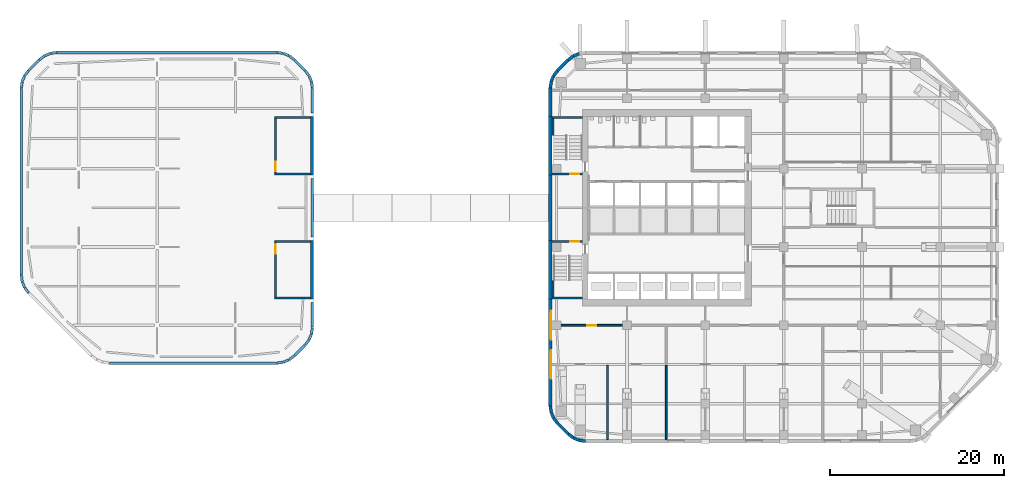
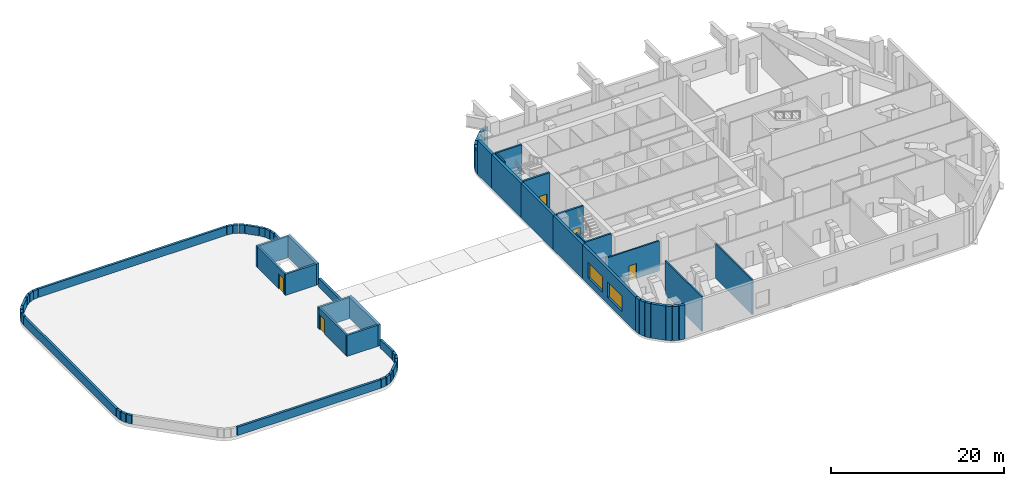
# One storey, part 4 of 11: 65 walls, 5 doors, 2 windows, 7 openings.
"""IFC4 building model written with IfcOpenShell, lengths in metres."""

from ifc_helpers import new_model, si_unit, direction, frame, frame_2d, origin, place, context, subcontext, project, spatial, rectangle, extrude, material, layer, layer_set, type_object, element, fill, save


model = new_model("IFC4")

# Units and contexts
model_context = context("Model", 3, precision=1e-05, world=origin(), true_north=direction((0.0, 1.0)))
body_context = subcontext(model_context, "Body", "Model", "MODEL_VIEW")
ifc_project = project(units=[si_unit("LENGTHUNIT", "METRE"), si_unit("AREAUNIT", "SQUARE_METRE"), si_unit("VOLUMEUNIT", "CUBIC_METRE"), si_unit("PLANEANGLEUNIT", "RADIAN"), si_unit("MASSUNIT", "GRAM", prefix="KILO")], contexts=[model_context])

# Site, building, storey
site_placement = place(None, origin())
site = spatial("IfcSite", under=ifc_project, at=site_placement, CompositionType="ELEMENT")
building_placement = place(site_placement, origin())
building = spatial("IfcBuilding", under=site, at=building_placement, Name="Cinnabar Reach Civic Tower", CompositionType="ELEMENT")
storey_placement = place(building_placement, frame((0.0, 0.0, 144.0)))
storey = spatial("IfcBuildingStorey", under=building, at=storey_placement, Name="L34", CompositionType="ELEMENT", Elevation=144.0)

# Walls
ifc_material_1 = material(Name="Facing brick with insulated backing", Category="masonry")
ifc_layer_1 = layer(ifc_material_1, 0.36)
ifc_layer_set_1 = layer_set([ifc_layer_1], Name="Brick corner wall")
wall_type_1 = type_object("IfcWallType", Name="Brick corner wall", PredefinedType="STANDARD", material=ifc_layer_set_1)
wall_1_placement = place(storey_placement, frame((3.5027, 49.2181, 0.0), z_axis=(0.0, 0.0, 1.0), x_axis=(-0.923871547278, -0.382702709855, 0.0)))
element("IfcWall", 1, at=wall_1_placement, inside=storey, type_object=wall_type_1, Name="Brick corner wall", PredefinedType="STANDARD", context=body_context, shape_type="SweptSolid", body=[
    extrude(rectangle(XDim=0.7131, YDim=0.36, at=frame_2d((0.3565, 0.0))), origin(), (0.0, 0.0, 1.0), 3.25),
])
for number, where, z_axis, x_axis, name in (
    (2, (2.8245, 48.934, 0.0), (0.0, 0.0, 1.0), (-0.793321924995, -0.608802368033, 0.0), "Brick corner wall"),
    (3, (1.0002, 47.2413, 0.0), (0.0, 0.0, 1.0), (-0.608802368033, -0.793321924995, 0.0), "Brick corner wall"),
):
    element("IfcWall", number, at=place(storey_placement, frame(where, z_axis=z_axis, x_axis=x_axis)), inside=storey, type_object=wall_type_1, Name=name, PredefinedType="STANDARD", context=body_context, shape_type="SweptSolid", body=[
        extrude(rectangle(XDim=0.7132, YDim=0.36, at=frame_2d((0.3566, 0.0))), origin(), (0.0, 0.0, 1.0), 3.25),
    ])
for number, where, z_axis, x_axis, name in (
    (4, (0.5548, 46.6561, 0.0), (0.0, 0.0, 1.0), (-0.382702709855, -0.923871547278, 0.0), "Brick corner wall"),
    (5, (0.2761, 45.9756, 0.0), (0.0, 0.0, 1.0), (-0.13055608231, -0.99144092581, 0.0), "Brick corner wall"),
):
    element("IfcWall", number, at=place(storey_placement, frame(where, z_axis=z_axis, x_axis=x_axis)), inside=storey, type_object=wall_type_1, Name=name, PredefinedType="STANDARD", context=body_context, shape_type="SweptSolid", body=[
        extrude(rectangle(XDim=0.7131, YDim=0.36, at=frame_2d((0.3565, 0.0))), origin(), (0.0, 0.0, 1.0), 3.25),
    ])
for number, where, z_axis, x_axis, name in (
    (6, (0.183, 8.7314, 0.0), (0.0, 0.0, 1.0), (0.13055608231, -0.99144092581, 0.0), "Brick corner wall"),
    (7, (0.2819, 8.0027, 0.0), (0.0, 0.0, 1.0), (0.382702709855, -0.923871547278, 0.0), "Brick corner wall"),
):
    element("IfcWall", number, at=place(storey_placement, frame(where, z_axis=z_axis, x_axis=x_axis)), inside=storey, type_object=wall_type_1, Name=name, PredefinedType="STANDARD", context=body_context, shape_type="SweptSolid", body=[
        extrude(rectangle(XDim=0.7131, YDim=0.36, at=frame_2d((0.3565, 0.0))), origin(), (0.0, 0.0, 1.0), 4.85),
    ])
for number, where, z_axis, x_axis, name in (
    (8, (0.566, 7.3245, 0.0), (0.0, 0.0, 1.0), (0.608802368033, -0.793321924995, 0.0), "Brick corner wall"),
    (9, (2.2587, 5.5002, 0.0), (0.0, 0.0, 1.0), (0.793321924995, -0.608802368033, 0.0), "Brick corner wall"),
):
    element("IfcWall", number, at=place(storey_placement, frame(where, z_axis=z_axis, x_axis=x_axis)), inside=storey, type_object=wall_type_1, Name=name, PredefinedType="STANDARD", context=body_context, shape_type="SweptSolid", body=[
        extrude(rectangle(XDim=0.7132, YDim=0.36, at=frame_2d((0.3566, 0.0))), origin(), (0.0, 0.0, 1.0), 4.85),
    ])
for number, where, z_axis, x_axis, name in (
    (10, (2.8439, 5.0548, 0.0), (0.0, 0.0, 1.0), (0.923871547278, -0.382702709855, 0.0), "Brick corner wall"),
    (11, (3.5244, 4.7761, 0.0), (0.0, 0.0, 1.0), (0.99144092581, -0.13055608231, 0.0), "Brick corner wall"),
):
    element("IfcWall", number, at=place(storey_placement, frame(where, z_axis=z_axis, x_axis=x_axis)), inside=storey, type_object=wall_type_1, Name=name, PredefinedType="STANDARD", context=body_context, shape_type="SweptSolid", body=[
        extrude(rectangle(XDim=0.7131, YDim=0.36, at=frame_2d((0.3565, 0.0))), origin(), (0.0, 0.0, 1.0), 4.85),
    ])
ifc_layer_2 = layer(ifc_material_1, 0.36)
ifc_layer_set_2 = layer_set([ifc_layer_2], Name="Brick pier and spandrel wall")
wall_type_2 = type_object("IfcWallType", Name="Brick pier and spandrel wall", PredefinedType="STANDARD", material=ifc_layer_set_2)
wall_2_placement = place(storey_placement, frame((2.2486, 48.494, 0.0), z_axis=(0.0, 0.0, 1.0), x_axis=(-0.707106781187, -0.707106781187, 0.0)))
element("IfcWall", 12, at=wall_2_placement, inside=storey, type_object=wall_type_2, Name="Brick facade wall", PredefinedType="STANDARD", context=body_context, shape_type="SweptSolid", body=[
    extrude(rectangle(XDim=1.7573, YDim=0.36, at=frame_2d((0.8787, 0.0))), origin(), (0.0, 0.0, 1.0), 3.25),
])
wall_3_placement = place(storey_placement, frame((0.18, 45.2574, 0.0), z_axis=(0.0, 0.0, 1.0), x_axis=(0.0, -1.0, 0.0)))
element("IfcWall", 13, at=wall_3_placement, inside=storey, type_object=wall_type_2, Name="Brick facade wall", PredefinedType="STANDARD", context=body_context, shape_type="SweptSolid", body=[
    extrude(rectangle(XDim=3.2574, YDim=0.36, at=frame_2d((1.6287, 0.0))), origin(), (0.0, 0.0, 1.0), 4.85),
])
wall_4_placement = place(storey_placement, frame((0.18, 42.0, 0.0), z_axis=(0.0, 0.0, 1.0), x_axis=(0.0, -1.0, 0.0)))
element("IfcWall", 14, at=wall_4_placement, inside=storey, type_object=wall_type_2, Name="Brick facade wall", PredefinedType="STANDARD", context=body_context, shape_type="SweptSolid", body=[
    extrude(rectangle(XDim=6.75, YDim=0.36, at=frame_2d((3.375, 0.0))), origin(), (0.0, 0.0, 1.0), 4.85),
])
wall_5_placement = place(storey_placement, frame((0.18, 35.25, 0.0), z_axis=(0.0, 0.0, 1.0), x_axis=(0.0, -1.0, 0.0)))
element("IfcWall", 15, at=wall_5_placement, inside=storey, type_object=wall_type_2, Name="Brick facade wall", PredefinedType="STANDARD", context=body_context, shape_type="SweptSolid", body=[
    extrude(rectangle(XDim=7.5, YDim=0.36, at=frame_2d((3.75, 0.0))), origin(), (0.0, 0.0, 1.0), 4.85),
])
wall_6_placement = place(storey_placement, frame((0.18, 27.75, 0.0), z_axis=(0.0, 0.0, 1.0), x_axis=(0.0, -1.0, 0.0)))
element("IfcWall", 16, at=wall_6_placement, inside=storey, type_object=wall_type_2, Name="Brick facade wall", PredefinedType="STANDARD", context=body_context, shape_type="SweptSolid", body=[
    extrude(rectangle(XDim=6.75, YDim=0.36, at=frame_2d((3.375, 0.0))), origin(), (0.0, 0.0, 1.0), 4.85),
])

# Wall, openings, windows
wall_7_placement = place(storey_placement, frame((0.18, 21.0, 0.0), z_axis=(0.0, 0.0, 1.0), x_axis=(0.0, -1.0, 0.0)))
wall_7 = element("IfcWall", 17, at=wall_7_placement, inside=storey, type_object=wall_type_2, Name="Brick facade wall", PredefinedType="STANDARD", context=body_context, shape_type="SweptSolid", body=[
    extrude(rectangle(XDim=12.2574, YDim=0.36, at=frame_2d((6.1287, 0.0))), origin(), (0.0, 0.0, 1.0), 4.85),
])
opening_1_placement = place(wall_7_placement, frame((1.35, 0.0, 0.9)))
opening_1 = element("IfcOpeningElement", 18, at=opening_1_placement, cuts=wall_7, Name="Opening W1737", PredefinedType="OPENING", context=body_context, shape_type="SweptSolid", body=[
    extrude(rectangle(XDim=3.3, YDim=2.2, at=frame_2d((1.65, 1.1))), frame((0.0, 0.19, 0.0), z_axis=(0.0, -1.0, 0.0), x_axis=(1.0, 0.0, 0.0)), (0.0, 0.0, 1.0), 0.38),
])
opening_2_placement = place(wall_7_placement, frame((5.85, 0.0, 0.9)))
opening_2 = element("IfcOpeningElement", 19, at=opening_2_placement, cuts=wall_7, Name="Opening W1738", PredefinedType="OPENING", context=body_context, shape_type="SweptSolid", body=[
    extrude(rectangle(XDim=3.3, YDim=2.2, at=frame_2d((1.65, 1.1))), frame((0.0, 0.19, 0.0), z_axis=(0.0, -1.0, 0.0), x_axis=(1.0, 0.0, 0.0)), (0.0, 0.0, 1.0), 0.38),
])
ifc_material_2 = material(Name="Clear double glazing in aluminium frame", Category="aluminium")
window_type = type_object("IfcWindowType", Name="Deep-set window B", PartitioningType="SINGLE_PANEL", PredefinedType="WINDOW", material=ifc_material_2)
window_1_placement = place(opening_1_placement, origin())
window_1 = element("IfcWindow", 20, at=window_1_placement, inside=storey, type_object=window_type, Name="Window west face", OverallHeight=2.2, OverallWidth=3.3, PartitioningType="SINGLE_PANEL", PredefinedType="WINDOW", context=body_context, shape_type="SweptSolid", body=[
    extrude(rectangle(XDim=3.3, YDim=2.2, at=frame_2d((1.65, 1.1))), frame((0.0, 0.13, 0.0), z_axis=(0.0, -1.0, 0.0), x_axis=(1.0, 0.0, 0.0)), (0.0, 0.0, 1.0), 0.06),
])
fill(opening_1, window_1)
window_2_placement = place(opening_2_placement, origin())
window_2 = element("IfcWindow", 21, at=window_2_placement, inside=storey, type_object=window_type, Name="Window west face", OverallHeight=2.2, OverallWidth=3.3, PartitioningType="SINGLE_PANEL", PredefinedType="WINDOW", context=body_context, shape_type="SweptSolid", body=[
    extrude(rectangle(XDim=3.3, YDim=2.2, at=frame_2d((1.65, 1.1))), frame((0.0, 0.13, 0.0), z_axis=(0.0, -1.0, 0.0), x_axis=(1.0, 0.0, 0.0)), (0.0, 0.0, 1.0), 0.06),
])
fill(opening_2, window_2)

# Walls
wall_8_placement = place(storey_placement, frame((1.006, 6.7486, 0.0), z_axis=(0.0, 0.0, 1.0), x_axis=(0.707106781187, -0.707106781187, 0.0)))
element("IfcWall", 22, at=wall_8_placement, inside=storey, type_object=wall_type_2, Name="Brick facade wall", PredefinedType="STANDARD", context=body_context, shape_type="SweptSolid", body=[
    extrude(rectangle(XDim=1.7573, YDim=0.36, at=frame_2d((0.8787, 0.0))), origin(), (0.0, 0.0, 1.0), 4.85),
])
ifc_layer_3 = layer(ifc_material_1, 0.3)
ifc_layer_set_3 = layer_set([ifc_layer_3], Name="Facade brick parapet")
wall_type_3 = type_object("IfcWallType", Name="Facade brick parapet", PredefinedType="PARAPET", material=ifc_layer_set_3)
wall_9_placement = place(storey_placement, frame((-59.7827, 21.7522, 0.0), z_axis=(0.0, 0.0, 1.0), x_axis=(-0.608705788034, 0.793396032013, 0.0)))
element("IfcWall", 23, at=wall_9_placement, inside=storey, type_object=wall_type_3, Name="Brick parapet", PredefinedType="PARAPET", context=body_context, shape_type="SweptSolid", body=[
    extrude(rectangle(XDim=0.6736, YDim=0.3, at=frame_2d((0.3368, 0.0))), origin(), (0.0, 0.0, 1.0), 1.2),
])
wall_10_placement = place(storey_placement, frame((-60.2324, 22.3552, 0.0), z_axis=(0.0, 0.0, 1.0), x_axis=(-0.382560278547, 0.923930534877, 0.0)))
element("IfcWall", 24, at=wall_10_placement, inside=storey, type_object=wall_type_3, Name="Brick parapet", PredefinedType="PARAPET", context=body_context, shape_type="SweptSolid", body=[
    extrude(rectangle(XDim=0.6637, YDim=0.3, at=frame_2d((0.3318, 0.0))), origin(), (0.0, 0.0, 1.0), 1.2),
])
wall_11_placement = place(storey_placement, frame((-60.5069, 23.045, 0.0), z_axis=(0.0, 0.0, 1.0), x_axis=(-0.130500598182, 0.991448230557, 0.0)))
element("IfcWall", 25, at=wall_11_placement, inside=storey, type_object=wall_type_3, Name="Brick parapet", PredefinedType="PARAPET", context=body_context, shape_type="SweptSolid", body=[
    extrude(rectangle(XDim=0.6736, YDim=0.3, at=frame_2d((0.3368, 0.0))), origin(), (0.0, 0.0, 1.0), 1.2),
])
wall_12_placement = place(storey_placement, frame((-60.6, 23.7925, 0.0), z_axis=(0.0, 0.0, 1.0), x_axis=(0.0, 1.0, 0.0)))
element("IfcWall", 26, at=wall_12_placement, inside=storey, type_object=wall_type_3, Name="Brick parapet", PredefinedType="PARAPET", context=body_context, shape_type="SweptSolid", body=[
    extrude(rectangle(XDim=21.415, YDim=0.3, at=frame_2d((10.7075, 0.0))), origin(), (0.0, 0.0, 1.0), 1.2),
])
wall_13_placement = place(storey_placement, frame((-60.5948, 45.2872, 0.0), z_axis=(0.0, 0.0, 1.0), x_axis=(0.130500598182, 0.991448230557, 0.0)))
element("IfcWall", 27, at=wall_13_placement, inside=storey, type_object=wall_type_3, Name="Brick parapet", PredefinedType="PARAPET", context=body_context, shape_type="SweptSolid", body=[
    extrude(rectangle(XDim=0.6736, YDim=0.3, at=frame_2d((0.3368, 0.0))), origin(), (0.0, 0.0, 1.0), 1.2),
])
wall_14_placement = place(storey_placement, frame((-60.4863, 46.0316, 0.0), z_axis=(0.0, 0.0, 1.0), x_axis=(0.382560278547, 0.923930534877, 0.0)))
element("IfcWall", 28, at=wall_14_placement, inside=storey, type_object=wall_type_3, Name="Brick parapet", PredefinedType="PARAPET", context=body_context, shape_type="SweptSolid", body=[
    extrude(rectangle(XDim=0.6637, YDim=0.3, at=frame_2d((0.3318, 0.0))), origin(), (0.0, 0.0, 1.0), 1.2),
])
wall_15_placement = place(storey_placement, frame((-60.1927, 46.7134, 0.0), z_axis=(0.0, 0.0, 1.0), x_axis=(0.608705788034, 0.793396032013, 0.0)))
element("IfcWall", 29, at=wall_15_placement, inside=storey, type_object=wall_type_3, Name="Brick parapet", PredefinedType="PARAPET", context=body_context, shape_type="SweptSolid", body=[
    extrude(rectangle(XDim=0.6736, YDim=0.3, at=frame_2d((0.3368, 0.0))), origin(), (0.0, 0.0, 1.0), 1.2),
])
wall_16_placement = place(storey_placement, frame((-59.73, 47.3078, 0.0), z_axis=(0.0, 0.0, 1.0), x_axis=(0.707106781187, 0.707106781187, 0.0)))
element("IfcWall", 30, at=wall_16_placement, inside=storey, type_object=wall_type_3, Name="Brick parapet", PredefinedType="PARAPET", context=body_context, shape_type="SweptSolid", body=[
    extrude(rectangle(XDim=1.6577, YDim=0.3, at=frame_2d((0.8288, 0.0))), origin(), (0.0, 0.0, 1.0), 1.2),
])
wall_17_placement = place(storey_placement, frame((-58.4978, 48.5327, 0.0), z_axis=(0.0, 0.0, 1.0), x_axis=(0.793396032013, 0.608705788034, 0.0)))
element("IfcWall", 31, at=wall_17_placement, inside=storey, type_object=wall_type_3, Name="Brick parapet", PredefinedType="PARAPET", context=body_context, shape_type="SweptSolid", body=[
    extrude(rectangle(XDim=0.6736, YDim=0.3, at=frame_2d((0.3368, 0.0))), origin(), (0.0, 0.0, 1.0), 1.2),
])
wall_18_placement = place(storey_placement, frame((-57.8948, 48.9824, 0.0), z_axis=(0.0, 0.0, 1.0), x_axis=(0.923930534877, 0.382560278547, 0.0)))
element("IfcWall", 32, at=wall_18_placement, inside=storey, type_object=wall_type_3, Name="Brick parapet", PredefinedType="PARAPET", context=body_context, shape_type="SweptSolid", body=[
    extrude(rectangle(XDim=0.6637, YDim=0.3, at=frame_2d((0.3318, 0.0))), origin(), (0.0, 0.0, 1.0), 1.2),
])
wall_19_placement = place(storey_placement, frame((-57.205, 49.2569, 0.0), z_axis=(0.0, 0.0, 1.0), x_axis=(0.991448230557, 0.130500598182, 0.0)))
element("IfcWall", 33, at=wall_19_placement, inside=storey, type_object=wall_type_3, Name="Brick parapet", PredefinedType="PARAPET", context=body_context, shape_type="SweptSolid", body=[
    extrude(rectangle(XDim=0.6736, YDim=0.3, at=frame_2d((0.3368, 0.0))), origin(), (0.0, 0.0, 1.0), 1.2),
])
wall_20_placement = place(storey_placement, frame((-56.4575, 49.35, 0.0), z_axis=(0.0, 0.0, 1.0), x_axis=(1.0, 0.0, 0.0)))
element("IfcWall", 34, at=wall_20_placement, inside=storey, type_object=wall_type_3, Name="Brick parapet", PredefinedType="PARAPET", context=body_context, shape_type="SweptSolid", body=[
    extrude(rectangle(XDim=25.165, YDim=0.3, at=frame_2d((12.5825, 0.0))), origin(), (0.0, 0.0, 1.0), 1.2),
])
wall_21_placement = place(storey_placement, frame((-31.2128, 49.3448, 0.0), z_axis=(0.0, 0.0, 1.0), x_axis=(0.991448230557, -0.130500598182, 0.0)))
element("IfcWall", 35, at=wall_21_placement, inside=storey, type_object=wall_type_3, Name="Brick parapet", PredefinedType="PARAPET", context=body_context, shape_type="SweptSolid", body=[
    extrude(rectangle(XDim=0.6736, YDim=0.3, at=frame_2d((0.3368, 0.0))), origin(), (0.0, 0.0, 1.0), 1.2),
])
wall_22_placement = place(storey_placement, frame((-30.4684, 49.2363, 0.0), z_axis=(0.0, 0.0, 1.0), x_axis=(0.923930534877, -0.382560278547, 0.0)))
element("IfcWall", 36, at=wall_22_placement, inside=storey, type_object=wall_type_3, Name="Brick parapet", PredefinedType="PARAPET", context=body_context, shape_type="SweptSolid", body=[
    extrude(rectangle(XDim=0.6637, YDim=0.3, at=frame_2d((0.3318, 0.0))), origin(), (0.0, 0.0, 1.0), 1.2),
])
wall_23_placement = place(storey_placement, frame((-29.7866, 48.9427, 0.0), z_axis=(0.0, 0.0, 1.0), x_axis=(0.793396032013, -0.608705788034, 0.0)))
element("IfcWall", 37, at=wall_23_placement, inside=storey, type_object=wall_type_3, Name="Brick parapet", PredefinedType="PARAPET", context=body_context, shape_type="SweptSolid", body=[
    extrude(rectangle(XDim=0.6736, YDim=0.3, at=frame_2d((0.3368, 0.0))), origin(), (0.0, 0.0, 1.0), 1.2),
])
wall_24_placement = place(storey_placement, frame((-29.1922, 48.48, 0.0), z_axis=(0.0, 0.0, 1.0), x_axis=(0.707106781187, -0.707106781187, 0.0)))
element("IfcWall", 38, at=wall_24_placement, inside=storey, type_object=wall_type_3, Name="Brick parapet", PredefinedType="PARAPET", context=body_context, shape_type="SweptSolid", body=[
    extrude(rectangle(XDim=1.6577, YDim=0.3, at=frame_2d((0.8288, 0.0))), origin(), (0.0, 0.0, 1.0), 1.2),
])
wall_25_placement = place(storey_placement, frame((-27.9673, 47.2478, 0.0), z_axis=(0.0, 0.0, 1.0), x_axis=(0.608705788034, -0.793396032013, 0.0)))
element("IfcWall", 39, at=wall_25_placement, inside=storey, type_object=wall_type_3, Name="Brick parapet", PredefinedType="PARAPET", context=body_context, shape_type="SweptSolid", body=[
    extrude(rectangle(XDim=0.6736, YDim=0.3, at=frame_2d((0.3368, 0.0))), origin(), (0.0, 0.0, 1.0), 1.2),
])
wall_26_placement = place(storey_placement, frame((-27.5176, 46.6448, 0.0), z_axis=(0.0, 0.0, 1.0), x_axis=(0.382560278547, -0.923930534877, 0.0)))
element("IfcWall", 40, at=wall_26_placement, inside=storey, type_object=wall_type_3, Name="Brick parapet", PredefinedType="PARAPET", context=body_context, shape_type="SweptSolid", body=[
    extrude(rectangle(XDim=0.6637, YDim=0.3, at=frame_2d((0.3318, 0.0))), origin(), (0.0, 0.0, 1.0), 1.2),
])
wall_27_placement = place(storey_placement, frame((-27.2431, 45.955, 0.0), z_axis=(0.0, 0.0, 1.0), x_axis=(0.130500598182, -0.991448230557, 0.0)))
element("IfcWall", 41, at=wall_27_placement, inside=storey, type_object=wall_type_3, Name="Brick parapet", PredefinedType="PARAPET", context=body_context, shape_type="SweptSolid", body=[
    extrude(rectangle(XDim=0.6736, YDim=0.3, at=frame_2d((0.3368, 0.0))), origin(), (0.0, 0.0, 1.0), 1.2),
])
wall_28_placement = place(storey_placement, frame((-27.15, 45.2075, 0.0), z_axis=(0.0, 0.0, 1.0), x_axis=(0.0, -1.0, 0.0)))
element("IfcWall", 42, at=wall_28_placement, inside=storey, type_object=wall_type_3, Name="Brick parapet", PredefinedType="PARAPET", context=body_context, shape_type="SweptSolid", body=[
    extrude(rectangle(XDim=2.8075, YDim=0.3, at=frame_2d((1.4038, 0.0))), origin(), (0.0, 0.0, 1.0), 1.2),
])
wall_29_placement = place(storey_placement, frame((-27.15, 34.85, 0.0), z_axis=(0.0, 0.0, 1.0), x_axis=(0.0, -1.0, 0.0)))
element("IfcWall", 43, at=wall_29_placement, inside=storey, type_object=wall_type_3, Name="Brick parapet", PredefinedType="PARAPET", context=body_context, shape_type="SweptSolid", body=[
    extrude(rectangle(XDim=6.7, YDim=0.3, at=frame_2d((3.35, 0.0))), origin(), (0.0, 0.0, 1.0), 1.2),
])
wall_30_placement = place(storey_placement, frame((-27.15, 20.6, 0.0), z_axis=(0.0, 0.0, 1.0), x_axis=(0.0, -1.0, 0.0)))
element("IfcWall", 44, at=wall_30_placement, inside=storey, type_object=wall_type_3, Name="Brick parapet", PredefinedType="PARAPET", context=body_context, shape_type="SweptSolid", body=[
    extrude(rectangle(XDim=2.8075, YDim=0.3, at=frame_2d((1.4038, 0.0))), origin(), (0.0, 0.0, 1.0), 1.2),
])
wall_31_placement = place(storey_placement, frame((-27.1552, 17.7128, 0.0), z_axis=(0.0, 0.0, 1.0), x_axis=(-0.130500598182, -0.991448230557, 0.0)))
element("IfcWall", 45, at=wall_31_placement, inside=storey, type_object=wall_type_3, Name="Brick parapet", PredefinedType="PARAPET", context=body_context, shape_type="SweptSolid", body=[
    extrude(rectangle(XDim=0.6736, YDim=0.3, at=frame_2d((0.3368, 0.0))), origin(), (0.0, 0.0, 1.0), 1.2),
])
wall_32_placement = place(storey_placement, frame((-27.2637, 16.9684, 0.0), z_axis=(0.0, 0.0, 1.0), x_axis=(-0.382560278547, -0.923930534877, 0.0)))
element("IfcWall", 46, at=wall_32_placement, inside=storey, type_object=wall_type_3, Name="Brick parapet", PredefinedType="PARAPET", context=body_context, shape_type="SweptSolid", body=[
    extrude(rectangle(XDim=0.6637, YDim=0.3, at=frame_2d((0.3318, 0.0))), origin(), (0.0, 0.0, 1.0), 1.2),
])
wall_33_placement = place(storey_placement, frame((-27.5573, 16.2866, 0.0), z_axis=(0.0, 0.0, 1.0), x_axis=(-0.608705788034, -0.793396032013, 0.0)))
element("IfcWall", 47, at=wall_33_placement, inside=storey, type_object=wall_type_3, Name="Brick parapet", PredefinedType="PARAPET", context=body_context, shape_type="SweptSolid", body=[
    extrude(rectangle(XDim=0.6736, YDim=0.3, at=frame_2d((0.3368, 0.0))), origin(), (0.0, 0.0, 1.0), 1.2),
])
wall_34_placement = place(storey_placement, frame((-28.02, 15.6922, 0.0), z_axis=(0.0, 0.0, 1.0), x_axis=(-0.707106781187, -0.707106781187, 0.0)))
element("IfcWall", 48, at=wall_34_placement, inside=storey, type_object=wall_type_3, Name="Brick parapet", PredefinedType="PARAPET", context=body_context, shape_type="SweptSolid", body=[
    extrude(rectangle(XDim=1.6577, YDim=0.3, at=frame_2d((0.8288, 0.0))), origin(), (0.0, 0.0, 1.0), 1.2),
])
wall_35_placement = place(storey_placement, frame((-29.2522, 14.4673, 0.0), z_axis=(0.0, 0.0, 1.0), x_axis=(-0.793396032013, -0.608705788034, 0.0)))
element("IfcWall", 49, at=wall_35_placement, inside=storey, type_object=wall_type_3, Name="Brick parapet", PredefinedType="PARAPET", context=body_context, shape_type="SweptSolid", body=[
    extrude(rectangle(XDim=0.6736, YDim=0.3, at=frame_2d((0.3368, 0.0))), origin(), (0.0, 0.0, 1.0), 1.2),
])
wall_36_placement = place(storey_placement, frame((-29.8552, 14.0176, 0.0), z_axis=(0.0, 0.0, 1.0), x_axis=(-0.923930534877, -0.382560278547, 0.0)))
element("IfcWall", 50, at=wall_36_placement, inside=storey, type_object=wall_type_3, Name="Brick parapet", PredefinedType="PARAPET", context=body_context, shape_type="SweptSolid", body=[
    extrude(rectangle(XDim=0.6637, YDim=0.3, at=frame_2d((0.3318, 0.0))), origin(), (0.0, 0.0, 1.0), 1.2),
])
wall_37_placement = place(storey_placement, frame((-30.545, 13.7431, 0.0), z_axis=(0.0, 0.0, 1.0), x_axis=(-0.991448230557, -0.130500598182, 0.0)))
element("IfcWall", 51, at=wall_37_placement, inside=storey, type_object=wall_type_3, Name="Brick parapet", PredefinedType="PARAPET", context=body_context, shape_type="SweptSolid", body=[
    extrude(rectangle(XDim=0.6736, YDim=0.3, at=frame_2d((0.3368, 0.0))), origin(), (0.0, 0.0, 1.0), 1.2),
])
wall_38_placement = place(storey_placement, frame((-31.2925, 13.65, 0.0), z_axis=(0.0, 0.0, 1.0), x_axis=(-1.0, 0.0, 0.0)))
element("IfcWall", 52, at=wall_38_placement, inside=storey, type_object=wall_type_3, Name="Brick parapet", PredefinedType="PARAPET", context=body_context, shape_type="SweptSolid", body=[
    extrude(rectangle(XDim=19.165, YDim=0.3, at=frame_2d((9.5825, 0.0))), origin(), (0.0, 0.0, 1.0), 1.2),
])
ifc_material_3 = material(Name="Concrete C40", Category="concrete")
ifc_layer_4 = layer(ifc_material_3, 0.25)
ifc_layer_set_4 = layer_set([ifc_layer_4], Name="Facade head-house wall 250")
wall_type_4 = type_object("IfcWallType", Name="Facade head-house wall 250", PredefinedType="STANDARD", material=ifc_layer_set_4)
for number, where, z_axis, x_axis, name in (
    (53, (-31.5, 21.125, 0.0), (0.0, 0.0, 1.0), (1.0, 0.0, 0.0), "Roof head-house wall"),
    (54, (-31.5, 27.625, 0.0), (0.0, 0.0, 1.0), (1.0, 0.0, 0.0), "Roof head-house wall"),
):
    element("IfcWall", number, at=place(storey_placement, frame(where, z_axis=z_axis, x_axis=x_axis)), inside=storey, type_object=wall_type_4, Name=name, PredefinedType="STANDARD", context=body_context, shape_type="SweptSolid", body=[
        extrude(rectangle(XDim=4.14, YDim=0.25, at=frame_2d((2.07, 0.0))), origin(), (0.0, 0.0, 1.0), 3.0),
    ])

# Wall, opening, door
wall_39_placement = place(storey_placement, frame((-31.375, 21.25, 0.0), z_axis=(0.0, 0.0, 1.0), x_axis=(0.0, 1.0, 0.0)))
wall_39 = element("IfcWall", 55, at=wall_39_placement, inside=storey, type_object=wall_type_4, Name="Roof head-house wall", PredefinedType="STANDARD", context=body_context, shape_type="SweptSolid", body=[
    extrude(rectangle(XDim=6.25, YDim=0.25, at=frame_2d((3.125, 0.0))), origin(), (0.0, 0.0, 1.0), 3.0),
])
opening_3_placement = place(wall_39_placement, frame((4.95, 0.0, 0.0)))
opening_3 = element("IfcOpeningElement", 56, at=opening_3_placement, cuts=wall_39, Name="Opening D7189", PredefinedType="OPENING", context=body_context, shape_type="SweptSolid", body=[
    extrude(rectangle(XDim=1.1, YDim=2.1, at=frame_2d((0.55, 1.05))), frame((0.0, 0.135, 0.0), z_axis=(0.0, -1.0, 0.0), x_axis=(1.0, 0.0, 0.0)), (0.0, 0.0, 1.0), 0.27),
])
ifc_material_4 = material(Name="Steel fire door", Category="steel")
door_type_1 = type_object("IfcDoorType", Name="T2 Stair door 1100", OperationType="SINGLE_SWING_LEFT", PredefinedType="DOOR", material=ifc_material_4)
door_1_placement = place(opening_3_placement, origin())
door_1 = element("IfcDoor", 57, at=door_1_placement, inside=storey, type_object=door_type_1, Name="Roof access door 1", OperationType="SINGLE_SWING_RIGHT", OverallHeight=2.1, OverallWidth=1.1, PredefinedType="DOOR", context=body_context, shape_type="SweptSolid", body=[
    extrude(rectangle(XDim=1.1, YDim=2.1, at=frame_2d((0.55, 1.05))), frame((0.0, 0.025, 0.0), z_axis=(0.0, -1.0, 0.0), x_axis=(1.0, 0.0, 0.0)), (0.0, 0.0, 1.0), 0.05),
])
fill(opening_3, door_1)

# Walls
for number, where, z_axis, x_axis, name in (
    (58, (-31.5, 35.375, 0.0), (0.0, 0.0, 1.0), (1.0, 0.0, 0.0), "Roof head-house wall"),
    (59, (-31.5, 41.875, 0.0), (0.0, 0.0, 1.0), (1.0, 0.0, 0.0), "Roof head-house wall"),
):
    element("IfcWall", number, at=place(storey_placement, frame(where, z_axis=z_axis, x_axis=x_axis)), inside=storey, type_object=wall_type_4, Name=name, PredefinedType="STANDARD", context=body_context, shape_type="SweptSolid", body=[
        extrude(rectangle(XDim=4.14, YDim=0.25, at=frame_2d((2.07, 0.0))), origin(), (0.0, 0.0, 1.0), 3.0),
    ])

# Wall, opening, door
wall_40_placement = place(storey_placement, frame((-31.375, 35.5, 0.0), z_axis=(0.0, 0.0, 1.0), x_axis=(0.0, 1.0, 0.0)))
wall_40 = element("IfcWall", 60, at=wall_40_placement, inside=storey, type_object=wall_type_4, Name="Roof head-house wall", PredefinedType="STANDARD", context=body_context, shape_type="SweptSolid", body=[
    extrude(rectangle(XDim=6.25, YDim=0.25, at=frame_2d((3.125, 0.0))), origin(), (0.0, 0.0, 1.0), 3.0),
])
opening_4_placement = place(wall_40_placement, frame((0.2, 0.0, 0.0)))
opening_4 = element("IfcOpeningElement", 61, at=opening_4_placement, cuts=wall_40, Name="Opening D7190", PredefinedType="OPENING", context=body_context, shape_type="SweptSolid", body=[
    extrude(rectangle(XDim=1.1, YDim=2.1, at=frame_2d((0.55, 1.05))), frame((0.0, 0.135, 0.0), z_axis=(0.0, -1.0, 0.0), x_axis=(1.0, 0.0, 0.0)), (0.0, 0.0, 1.0), 0.27),
])
door_2_placement = place(opening_4_placement, origin())
door_2 = element("IfcDoor", 62, at=door_2_placement, inside=storey, type_object=door_type_1, Name="Roof access door 2", OperationType="SINGLE_SWING_LEFT", OverallHeight=2.1, OverallWidth=1.1, PredefinedType="DOOR", context=body_context, shape_type="SweptSolid", body=[
    extrude(rectangle(XDim=1.1, YDim=2.1, at=frame_2d((0.55, 1.05))), frame((0.0, 0.025, 0.0), z_axis=(0.0, -1.0, 0.0), x_axis=(1.0, 0.0, 0.0)), (0.0, 0.0, 1.0), 0.05),
])
fill(opening_4, door_2)

# Walls
ifc_layer_5 = layer(ifc_material_3, 0.36)
ifc_layer_set_5 = layer_set([ifc_layer_5], Name="Facade head-house wall 360")
wall_type_5 = type_object("IfcWallType", Name="Facade head-house wall 360", PredefinedType="STANDARD", material=ifc_layer_set_5)
for number, where, z_axis, x_axis, name in (
    (63, (-27.18, 21.0, 0.0), (0.0, 0.0, 1.0), (0.0, 1.0, 0.0), "Roof head-house wall"),
    (64, (-27.18, 35.25, 0.0), (0.0, 0.0, 1.0), (0.0, 1.0, 0.0), "Roof head-house wall"),
):
    element("IfcWall", number, at=place(storey_placement, frame(where, z_axis=z_axis, x_axis=x_axis)), inside=storey, type_object=wall_type_5, Name=name, PredefinedType="STANDARD", context=body_context, shape_type="SweptSolid", body=[
        extrude(rectangle(XDim=6.75, YDim=0.36, at=frame_2d((3.375, 0.0))), origin(), (0.0, 0.0, 1.0), 3.0),
    ])

# Wall, opening, door
ifc_layer_6 = layer(ifc_material_3, 0.2)
ifc_layer_set_6 = layer_set([ifc_layer_6], Name="Refuge compartment wall 200 T1")
wall_type_6 = type_object("IfcWallType", Name="Refuge compartment wall 200 T1", PredefinedType="PARTITIONING", material=ifc_layer_set_6)
wall_41_placement = place(storey_placement, frame((1.4, 18.0, 0.0), z_axis=(0.0, 0.0, 1.0), x_axis=(1.0, 0.0, 0.0)))
wall_41 = element("IfcWall", 65, at=wall_41_placement, inside=storey, type_object=wall_type_6, Name="Refuge compartment wall 6", PredefinedType="PARTITIONING", context=body_context, shape_type="SweptSolid", body=[
    extrude(rectangle(XDim=7.1, YDim=0.2, at=frame_2d((3.55, 0.0))), origin(), (0.0, 0.0, 1.0), 4.262),
])
opening_5_placement = place(wall_41_placement, frame((3.05, 0.0, 0.0)))
opening_5 = element("IfcOpeningElement", 66, at=opening_5_placement, cuts=wall_41, Name="Opening D4398", PredefinedType="OPENING", context=body_context, shape_type="SweptSolid", body=[
    extrude(rectangle(XDim=1.0, YDim=2.1, at=frame_2d((0.5, 1.05))), frame((0.0, 0.11, 0.0), z_axis=(0.0, -1.0, 0.0), x_axis=(1.0, 0.0, 0.0)), (0.0, 0.0, 1.0), 0.22),
])
ifc_material_5 = material(Name="Timber door leaf in steel frame", Category="steel")
door_type_2 = type_object("IfcDoorType", Name="Refuge door 1000 x 2100 T1", OperationType="SINGLE_SWING_LEFT", PredefinedType="DOOR", material=ifc_material_5)
door_3_placement = place(opening_5_placement, frame((1.0, 0.0, 0.0), z_axis=(0.0, 0.0, 1.0), x_axis=(-1.0, 0.0, 0.0)))
door_3 = element("IfcDoor", 67, at=door_3_placement, inside=storey, type_object=door_type_2, Name="Door D4398", OperationType="SINGLE_SWING_RIGHT", OverallHeight=2.1, OverallWidth=1.0, PredefinedType="DOOR", context=body_context, shape_type="SweptSolid", body=[
    extrude(rectangle(XDim=1.0, YDim=2.1, at=frame_2d((0.5, 1.05))), frame((0.0, 0.025, 0.0), z_axis=(0.0, -1.0, 0.0), x_axis=(1.0, 0.0, 0.0)), (0.0, 0.0, 1.0), 0.05),
])
fill(opening_5, door_3)

# Walls
for number, where, z_axis, x_axis, name in (
    (68, (13.5, 4.86, 0.0), (0.0, 0.0, 1.0), (0.0, 1.0, 0.0), "Refuge compartment wall 11"),
    (69, (6.75, 4.86, 0.0), (0.0, 0.0, 1.0), (0.0, 1.0, 0.0), "Refuge compartment wall 18"),
):
    element("IfcWall", number, at=place(storey_placement, frame(where, z_axis=z_axis, x_axis=x_axis)), inside=storey, type_object=wall_type_6, Name=name, PredefinedType="PARTITIONING", context=body_context, shape_type="SweptSolid", body=[
        extrude(rectangle(XDim=8.54, YDim=0.2, at=frame_2d((4.27, 0.0))), origin(), (0.0, 0.0, 1.0), 4.85),
    ])
ifc_material_6 = material(Name="Concrete C60", Category="concrete")
ifc_layer_7 = layer(ifc_material_6, 0.25)
ifc_layer_set_7 = layer_set([ifc_layer_7], Name="Stair shaft wall 250 EI 120")
wall_type_7 = type_object("IfcWallType", Name="Stair shaft wall 250 EI 120", PredefinedType="SOLIDWALL", material=ifc_layer_set_7)
wall_42_placement = place(storey_placement, frame((0.36, 21.125, 0.0), z_axis=(0.0, 0.0, 1.0), x_axis=(1.0, 0.0, 0.0)))
element("IfcWall", 70, at=wall_42_placement, inside=storey, type_object=wall_type_7, Name="Stair shaft wall T1-S1 L34", PredefinedType="SOLIDWALL", context=body_context, shape_type="SweptSolid", body=[
    extrude(rectangle(XDim=3.54, YDim=0.25, at=frame_2d((1.77, 0.0))), origin(), (0.0, 0.0, 1.0), 5.0),
])

# Wall, opening, door
wall_43_placement = place(storey_placement, frame((3.9, 27.625, 0.0), z_axis=(0.0, 0.0, 1.0), x_axis=(-1.0, 0.0, 0.0)))
wall_43 = element("IfcWall", 71, at=wall_43_placement, inside=storey, type_object=wall_type_7, Name="Stair shaft wall T1-S1 L34", PredefinedType="SOLIDWALL", context=body_context, shape_type="SweptSolid", body=[
    extrude(rectangle(XDim=3.54, YDim=0.25, at=frame_2d((1.77, 0.0))), origin(), (0.0, 0.0, 1.0), 5.0),
])
opening_6_placement = place(wall_43_placement, frame((0.4, 0.0, 0.0)))
opening_6 = element("IfcOpeningElement", 72, at=opening_6_placement, cuts=wall_43, Name="Opening D4375", PredefinedType="OPENING", context=body_context, shape_type="SweptSolid", body=[
    extrude(rectangle(XDim=1.0, YDim=2.1, at=frame_2d((0.5, 1.05))), frame((0.0, 0.135, 0.0), z_axis=(0.0, -1.0, 0.0), x_axis=(1.0, 0.0, 0.0)), (0.0, 0.0, 1.0), 0.27),
])
door_type_3 = type_object("IfcDoorType", Name="Stair door 1000 x 2100 T1", OperationType="SINGLE_SWING_LEFT", PredefinedType="DOOR", material=ifc_material_5)
door_4_placement = place(opening_6_placement, origin())
door_4 = element("IfcDoor", 73, at=door_4_placement, inside=storey, type_object=door_type_3, Name="Door D4375", OperationType="SINGLE_SWING_LEFT", OverallHeight=2.1, OverallWidth=1.0, PredefinedType="DOOR", context=body_context, shape_type="SweptSolid", body=[
    extrude(rectangle(XDim=1.0, YDim=2.1, at=frame_2d((0.5, 1.05))), frame((0.0, 0.025, 0.0), z_axis=(0.0, -1.0, 0.0), x_axis=(1.0, 0.0, 0.0)), (0.0, 0.0, 1.0), 0.05),
])
fill(opening_6, door_4)

wall_44_placement = place(storey_placement, frame((0.36, 35.375, 0.0), z_axis=(0.0, 0.0, 1.0), x_axis=(1.0, 0.0, 0.0)))
wall_44 = element("IfcWall", 74, at=wall_44_placement, inside=storey, type_object=wall_type_7, Name="Stair shaft wall T1-S2 L34", PredefinedType="SOLIDWALL", context=body_context, shape_type="SweptSolid", body=[
    extrude(rectangle(XDim=3.54, YDim=0.25, at=frame_2d((1.77, 0.0))), origin(), (0.0, 0.0, 1.0), 5.0),
])
opening_7_placement = place(wall_44_placement, frame((2.14, 0.0, 0.0)))
opening_7 = element("IfcOpeningElement", 75, at=opening_7_placement, cuts=wall_44, Name="Opening D4377", PredefinedType="OPENING", context=body_context, shape_type="SweptSolid", body=[
    extrude(rectangle(XDim=1.0, YDim=2.1, at=frame_2d((0.5, 1.05))), frame((0.0, 0.135, 0.0), z_axis=(0.0, -1.0, 0.0), x_axis=(1.0, 0.0, 0.0)), (0.0, 0.0, 1.0), 0.27),
])
door_5_placement = place(opening_7_placement, origin())
door_5 = element("IfcDoor", 76, at=door_5_placement, inside=storey, type_object=door_type_3, Name="Door D4377", OperationType="SINGLE_SWING_RIGHT", OverallHeight=2.1, OverallWidth=1.0, PredefinedType="DOOR", context=body_context, shape_type="SweptSolid", body=[
    extrude(rectangle(XDim=1.0, YDim=2.1, at=frame_2d((0.5, 1.05))), frame((0.0, 0.025, 0.0), z_axis=(0.0, -1.0, 0.0), x_axis=(1.0, 0.0, 0.0)), (0.0, 0.0, 1.0), 0.05),
])
fill(opening_7, door_5)

# Walls
wall_45_placement = place(storey_placement, frame((3.9, 41.875, 0.0), z_axis=(0.0, 0.0, 1.0), x_axis=(-1.0, 0.0, 0.0)))
element("IfcWall", 77, at=wall_45_placement, inside=storey, type_object=wall_type_7, Name="Stair shaft wall T1-S2 L34", PredefinedType="SOLIDWALL", context=body_context, shape_type="SweptSolid", body=[
    extrude(rectangle(XDim=3.54, YDim=0.25, at=frame_2d((1.77, 0.0))), origin(), (0.0, 0.0, 1.0), 5.0),
])
ifc_material_7 = material(Name="Concrete C40/50", Category="concrete")
ifc_layer_8 = layer(ifc_material_7, 0.24)
ifc_layer_set_8 = layer_set([ifc_layer_8], Name="T1 landing bearer wall 240")
wall_type_8 = type_object("IfcWallType", Name="T1 landing bearer wall 240", PredefinedType="STANDARD", material=ifc_layer_set_8)
for number, where, z_axis, x_axis, name in (
    (78, (0.48, 21.25, 0.0), (0.0, 0.0, 1.0), (0.0, 1.0, 0.0), "T1-S1 landing bearer wall"),
    (79, (0.48, 39.795, 0.0), (0.0, 0.0, 1.0), (0.0, 1.0, 0.0), "T1-S2 landing bearer wall"),
):
    element("IfcWall", number, at=place(storey_placement, frame(where, z_axis=z_axis, x_axis=x_axis)), inside=storey, type_object=wall_type_8, Name=name, PredefinedType="STANDARD", context=body_context, shape_type="SweptSolid", body=[
        extrude(rectangle(XDim=1.955, YDim=0.24, at=frame_2d((0.9775, 0.0))), origin(), (0.0, 0.0, 1.0), 5.0),
    ])

save(model, "model.ifc")
